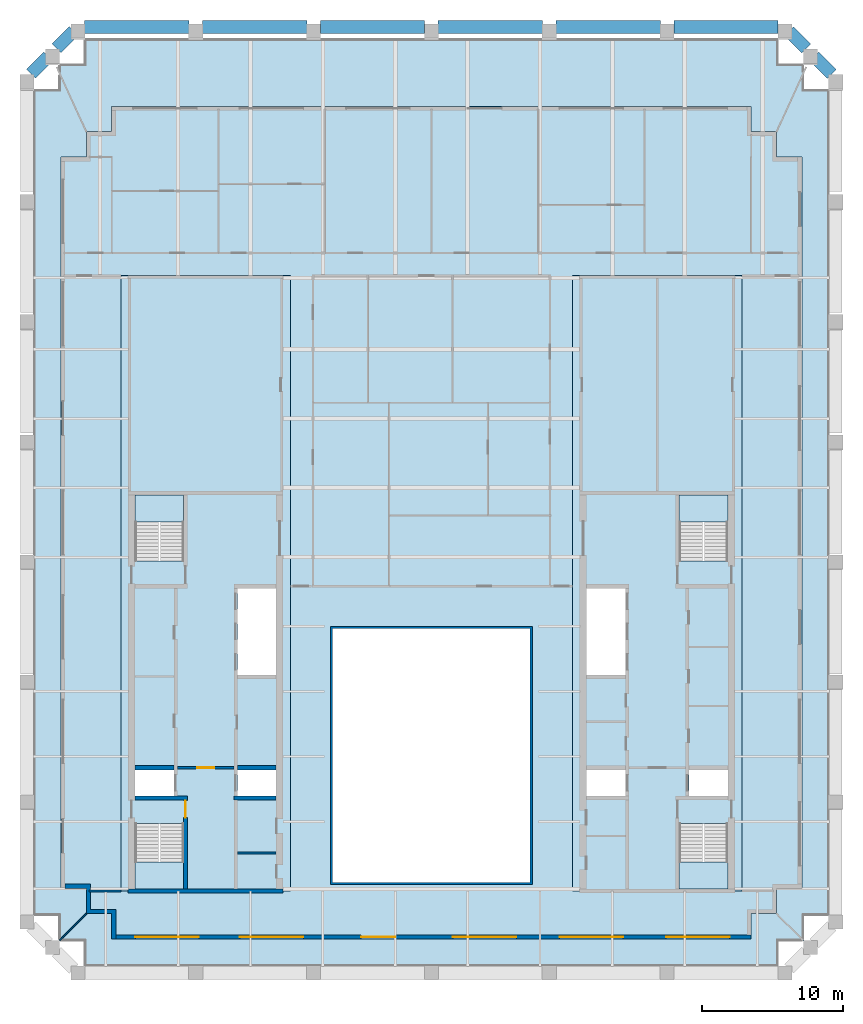
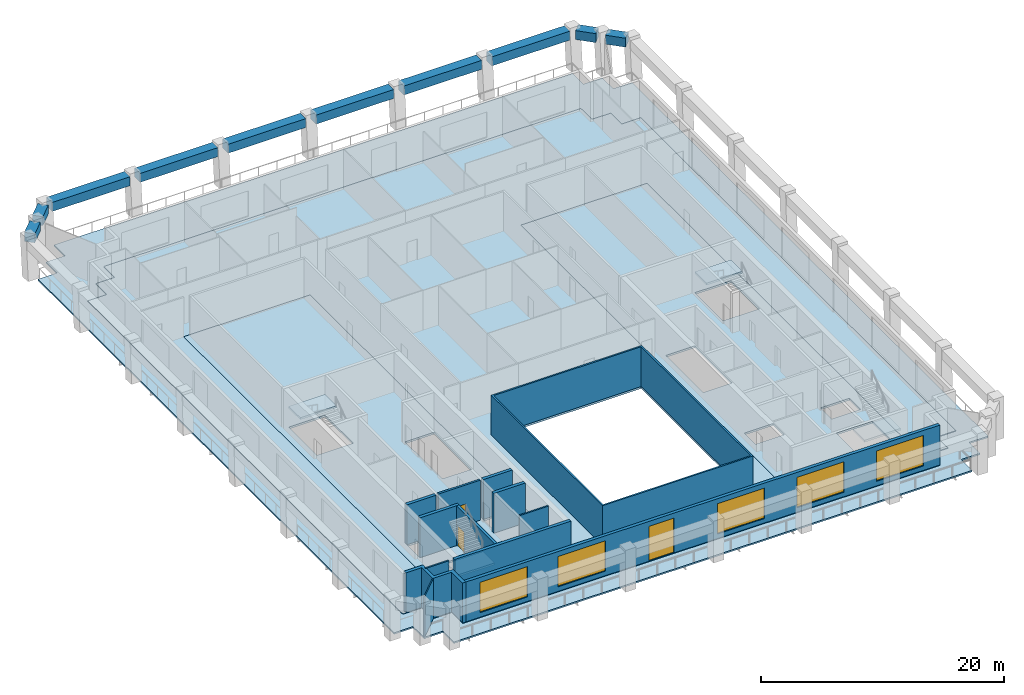
# One storey, part 2 of 8: 13 walls, 10 beams, 8 slabs, 5 windows, 3 doors, 8 openings, 4 elements without a shape of their own.
"""IFC4 building model written with IfcOpenShell, lengths in metres."""

from ifc_helpers import new_model, si_unit, direction, frame, frame_2d, origin, origin_2d, place, context, subcontext, project, spatial, polyline, rectangle, outline, extrude, material, layer, layer_set, material_profile, profile_set, type_object, element, fill, aggregate, save


model = new_model("IFC4")

# Units and contexts
model_context = context("Model", 3, precision=1e-05, world=origin(), true_north=direction((0.0, 1.0)))
body_context = subcontext(model_context, "Body", "Model", "MODEL_VIEW")
ifc_project = project(units=[si_unit("LENGTHUNIT", "METRE"), si_unit("AREAUNIT", "SQUARE_METRE"), si_unit("VOLUMEUNIT", "CUBIC_METRE"), si_unit("PLANEANGLEUNIT", "RADIAN"), si_unit("MASSUNIT", "GRAM", prefix="KILO")], contexts=[model_context])

# Site, building, storey
site_placement = place(None, origin())
site = spatial("IfcSite", under=ifc_project, at=site_placement, CompositionType="ELEMENT")
building_placement = place(site_placement, origin())
building = spatial("IfcBuilding", under=site, at=building_placement, Name="Ogive Exchange Tower", CompositionType="ELEMENT")
storey_placement = place(building_placement, frame((0.0, 0.0, 334.199951171875)))
storey = spatial("IfcBuildingStorey", under=building, at=storey_placement, Name="L73", CompositionType="ELEMENT", Elevation=334.199951171875)

# Beams
ifc_material_1 = material(Name="Precast concrete C70/85 (limestone faced)", Category="masonry")
ifc_material_profile = material_profile(ifc_material_1, rectangle(XDim=0.89990234375, YDim=0.89990234375, at=origin_2d()), Name="900 x 900")
ifc_profile_set = profile_set([ifc_material_profile], Name="Precast concrete C70/85 (limestone faced)")
beam_type = type_object("IfcBeamType", Name="Precast spandrel 900 x 900 C70/85", PredefinedType="SPANDREL", material=ifc_profile_set)
for number, where, z_axis, x_axis, name in (
    (1, (28.362060546875, 55.305908203125, 3.5), (-0.707036271462, 0.707177283881, 0.0), (-0.707177283881, -0.707036271462, 0.0), "Spandrel 16"),
    (2, (26.56201171875, 57.10595703125, 3.5), (-0.707036271462, 0.707177283881, 0.0), (-0.707177283881, -0.707036271462, 0.0), "Spandrel 17"),
):
    element("IfcBeam", number, at=place(storey_placement, frame(where, z_axis=z_axis, x_axis=x_axis)), inside=storey, type_object=beam_type, Name=name, PredefinedType="SPANDREL", context=body_context, shape_type="SweptSolid", body=[
        extrude(rectangle(XDim=0.89990234375, YDim=0.89990234375, at=origin_2d()), origin(), (0.0, 0.0, 1.0), 1.7314453125),
    ])
beam_1_placement = place(storey_placement, frame((24.570068359375, 58.6181640625, 3.5), z_axis=(-1.0, 0.0, 0.0), x_axis=(0.0, -1.0, 0.0)))
element("IfcBeam", 3, at=beam_1_placement, inside=storey, type_object=beam_type, Name="Spandrel 18", PredefinedType="SPANDREL", context=body_context, shape_type="SweptSolid", body=[
    extrude(rectangle(XDim=0.89990234375, YDim=0.89990234375, at=origin_2d()), origin(), (0.0, 0.0, 1.0), 7.39013671875),
])
beam_2_placement = place(storey_placement, frame((16.219970703125, 58.6181640625, 3.5), z_axis=(-1.0, 0.0, 0.0), x_axis=(0.0, -1.0, 0.0)))
element("IfcBeam", 4, at=beam_2_placement, inside=storey, type_object=beam_type, Name="Spandrel 19", PredefinedType="SPANDREL", context=body_context, shape_type="SweptSolid", body=[
    extrude(rectangle(XDim=0.89990234375, YDim=0.89990234375, at=origin_2d()), origin(), (0.0, 0.0, 1.0), 7.389892578125),
])
for number, where, z_axis, x_axis, name in (
    (5, (7.8701171875, 58.6181640625, 3.5), (-1.0, 0.0, 0.0), (0.0, -1.0, 0.0), "Spandrel 20"),
    (6, (-0.47998046875, 58.6181640625, 3.5), (-1.0, 0.0, 0.0), (0.0, -1.0, 0.0), "Spandrel 21"),
):
    element("IfcBeam", number, at=place(storey_placement, frame(where, z_axis=z_axis, x_axis=x_axis)), inside=storey, type_object=beam_type, Name=name, PredefinedType="SPANDREL", context=body_context, shape_type="SweptSolid", body=[
        extrude(rectangle(XDim=0.89990234375, YDim=0.89990234375, at=origin_2d()), origin(), (0.0, 0.0, 1.0), 7.39013671875),
    ])
beam_3_placement = place(storey_placement, frame((-8.830078125, 58.6181640625, 3.5), z_axis=(-1.0, 0.0, 0.0), x_axis=(0.0, -1.0, 0.0)))
element("IfcBeam", 7, at=beam_3_placement, inside=storey, type_object=beam_type, Name="Spandrel 22", PredefinedType="SPANDREL", context=body_context, shape_type="SweptSolid", body=[
    extrude(rectangle(XDim=0.89990234375, YDim=0.89990234375, at=origin_2d()), origin(), (0.0, 0.0, 1.0), 7.389892578125),
])
beam_4_placement = place(storey_placement, frame((-17.179931640625, 58.6181640625, 3.5), z_axis=(-1.0, 0.0, 0.0), x_axis=(0.0, -1.0, 0.0)))
element("IfcBeam", 8, at=beam_4_placement, inside=storey, type_object=beam_type, Name="Spandrel 23", PredefinedType="SPANDREL", context=body_context, shape_type="SweptSolid", body=[
    extrude(rectangle(XDim=0.89990234375, YDim=0.89990234375, at=origin_2d()), origin(), (0.0, 0.0, 1.0), 7.39013671875),
])
for number, where, z_axis, x_axis, name in (
    (9, (-25.337890625, 58.330322265625, 3.5), (-0.707036271462, -0.707177283881, 0.0), (0.707177283881, -0.707036271462, 0.0), "Spandrel 24"),
    (10, (-27.137939453125, 56.5302734375, 3.5), (-0.707036271462, -0.707177283881, 0.0), (0.707177283881, -0.707036271462, 0.0), "Spandrel 25"),
):
    element("IfcBeam", number, at=place(storey_placement, frame(where, z_axis=z_axis, x_axis=x_axis)), inside=storey, type_object=beam_type, Name=name, PredefinedType="SPANDREL", context=body_context, shape_type="SweptSolid", body=[
        extrude(rectangle(XDim=0.89990234375, YDim=0.89990234375, at=origin_2d()), origin(), (0.0, 0.0, 1.0), 1.7314453125),
    ])

# Slabs
ifc_material_2 = material(Name="Concrete C50/60", Category="concrete")
ifc_layer_1 = layer(ifc_material_2, 0.199951171875)
ifc_layer_set_1 = layer_set([ifc_layer_1], Name="Composite floor slab 200")
slab_type_1 = type_object("IfcSlabType", Name="Composite floor slab 200", PredefinedType="FLOOR", material=ifc_layer_set_1)
slab_1_placement = place(storey_placement, frame((0.0, 0.0, -0.199951171875)))
element("IfcSlab", 11, at=slab_1_placement, inside=storey, type_object=slab_type_1, Name="Composite floor slab", PredefinedType="FLOOR", context=body_context, shape_type="SweptSolid", body=[
    extrude(outline(polyline([(-22.64990234375, -4.199951171875), (-24.449951171875, -4.199951171875), (-24.449951171875, -2.39990234375), (-26.25, -2.39990234375), (-26.25, 49.39990234375), (-24.449951171875, 49.39990234375), (-24.449951171875, 51.199951171875), (-22.64990234375, 51.199951171875), (-22.64990234375, 53.0), (22.64990234375, 53.0), (22.64990234375, 51.199951171875), (24.449951171875, 51.199951171875), (24.449951171875, 49.39990234375), (26.25, 49.39990234375), (26.25, -2.39990234375), (24.449951171875, -2.39990234375), (24.449951171875, -4.199951171875), (22.64990234375, -4.199951171875), (22.64990234375, -6.0), (-22.64990234375, -6.0), (-22.64990234375, -4.199951171875)]), holes=[polyline([(7.0, -2.0), (7.0, 16.0), (-7.0, 16.0), (-7.0, -2.0), (7.0, -2.0)]), polyline([(-22.0, -2.60009765625), (-10.0, -2.60009765625), (-10.0, 41.0), (-22.0, 41.0), (-22.0, -2.60009765625)]), polyline([(10.0, -2.60009765625), (22.0, -2.60009765625), (22.0, 41.0), (10.0, 41.0), (10.0, -2.60009765625)])]), origin(), (0.0, 0.0, 1.0), 0.199951171875),
])
ifc_material_3 = material(Name="Concrete C70/85", Category="concrete")
ifc_layer_2 = layer(ifc_material_3, 0.199951171875)
ifc_layer_set_2 = layer_set([ifc_layer_2], Name="Core floor slab 200")
slab_type_2 = type_object("IfcSlabType", Name="Core floor slab 200", PredefinedType="FLOOR", material=ifc_layer_set_2)
slab_2_placement = place(storey_placement, frame((0.0, 0.0, -0.199951171875)))
element("IfcSlab", 12, at=slab_2_placement, inside=storey, type_object=slab_type_2, Name="Core floor slab", PredefinedType="FLOOR", context=body_context, shape_type="SweptSolid", body=[
    extrude(outline(polyline([(-22.0, -2.60009765625), (-22.0, 41.0), (-10.0, 41.0), (-10.0, -2.60009765625), (-22.0, -2.60009765625)]), holes=[polyline([(-17.550048828125, 2.196044921875), (-21.0, 2.196044921875), (-21.0, -2.449951171875), (-17.550048828125, -2.449951171875), (-17.550048828125, 2.196044921875)]), polyline([(-21.0, 5.992919921875), (-21.0, 4.14990234375), (-18.25, 4.14990234375), (-18.25, 5.992919921875), (-21.0, 5.992919921875)]), polyline([(-13.75, 5.992919921875), (-13.75, 4.14990234375), (-11.0, 4.14990234375), (-11.0, 5.992919921875), (-13.75, 5.992919921875)]), polyline([(-11.0, 18.85009765625), (-13.75, 18.85009765625), (-13.75, 12.721435546875), (-11.0, 12.721435546875), (-11.0, 18.85009765625)]), polyline([(-21.0, 25.449951171875), (-21.0, 20.803955078125), (-17.550048828125, 20.803955078125), (-17.550048828125, 25.449951171875), (-21.0, 25.449951171875)])]), origin(), (0.0, 0.0, 1.0), 0.199951171875),
])
slab_3_placement = place(storey_placement, frame((0.0, 0.0, -0.199951171875)))
element("IfcSlab", 13, at=slab_3_placement, inside=storey, type_object=slab_type_2, Name="Core floor slab", PredefinedType="FLOOR", context=body_context, shape_type="SweptSolid", body=[
    extrude(outline(polyline([(10.0, -2.60009765625), (10.0, 41.0), (22.0, 41.0), (22.0, -2.60009765625), (10.0, -2.60009765625)]), holes=[polyline([(21.0, 2.196044921875), (17.550048828125, 2.196044921875), (17.550048828125, -2.449951171875), (21.0, -2.449951171875), (21.0, 2.196044921875)]), polyline([(11.0, 5.992919921875), (11.0, 4.14990234375), (13.75, 4.14990234375), (13.75, 5.992919921875), (11.0, 5.992919921875)]), polyline([(18.25, 5.992919921875), (18.25, 4.14990234375), (21.0, 4.14990234375), (21.0, 5.992919921875), (18.25, 5.992919921875)]), polyline([(13.75, 18.85009765625), (11.0, 18.85009765625), (11.0, 12.721435546875), (13.75, 12.721435546875), (13.75, 18.85009765625)]), polyline([(17.550048828125, 25.449951171875), (17.550048828125, 20.803955078125), (21.0, 20.803955078125), (21.0, 25.449951171875), (17.550048828125, 25.449951171875)])]), origin(), (0.0, 0.0, 1.0), 0.199951171875),
])
ifc_layer_3 = layer(ifc_material_2, 0.14990234375)
ifc_layer_set_3 = layer_set([ifc_layer_3], Name="Loggia deck 150")
slab_type_3 = type_object("IfcSlabType", Name="Loggia deck 150", PredefinedType="FLOOR", material=ifc_layer_set_3)
slab_4_placement = place(storey_placement, frame((0.0, 0.0, -0.199951171875)))
element("IfcSlab", 14, at=slab_4_placement, inside=storey, type_object=slab_type_3, Name="Loggia deck", PredefinedType="FLOOR", context=body_context, shape_type="SweptSolid", body=[
    extrude(outline(polyline([(-24.60009765625, -6.14990234375), (-26.39990234375, -6.14990234375), (-26.39990234375, -4.35009765625), (-28.199951171875, -4.35009765625), (-28.199951171875, 54.186279296875), (-26.39990234375, 54.186279296875), (-26.39990234375, 55.986328125), (-24.60009765625, 55.986328125), (-24.60009765625, 57.786376953125), (24.60009765625, 57.786376953125), (24.60009765625, 55.986328125), (26.39990234375, 55.986328125), (26.39990234375, 54.186279296875), (28.199951171875, 54.186279296875), (28.199951171875, -4.35009765625), (26.39990234375, -4.35009765625), (26.39990234375, -6.14990234375), (24.60009765625, -6.14990234375), (24.60009765625, -7.949951171875), (-24.60009765625, -7.949951171875), (-24.60009765625, -6.14990234375)]), holes=[polyline([(22.64990234375, -4.199951171875), (24.449951171875, -4.199951171875), (24.449951171875, -2.39990234375), (26.25, -2.39990234375), (26.25, 49.39990234375), (24.449951171875, 49.39990234375), (24.449951171875, 51.199951171875), (22.64990234375, 51.199951171875), (22.64990234375, 53.0), (-22.64990234375, 53.0), (-22.64990234375, 51.199951171875), (-24.449951171875, 51.199951171875), (-24.449951171875, 49.39990234375), (-26.25, 49.39990234375), (-26.25, -2.39990234375), (-24.449951171875, -2.39990234375), (-24.449951171875, -4.199951171875), (-22.64990234375, -4.199951171875), (-22.64990234375, -6.0), (22.64990234375, -6.0), (22.64990234375, -4.199951171875)])]), origin(), (0.0, 0.0, 1.0), 0.14990234375),
])

# Stair, slab
ifc_material_4 = material(Name="Concrete C40/50", Category="concrete")
stair_type = type_object("IfcStairType", Name="Exit stair 1650 wide", PredefinedType="HALF_TURN_STAIR", material=ifc_material_4)
stair_1_placement = place(storey_placement, origin())
stair_1 = element("IfcStair", 15, at=stair_1_placement, inside=storey, type_object=stair_type, Name="L73 exit stair ST1", PredefinedType="HALF_TURN_STAIR")
ifc_layer_4 = layer(ifc_material_4, 0.199951171875)
ifc_layer_set_4 = layer_set([ifc_layer_4], Name="Stair landing 200 slab")
slab_type_4 = type_object("IfcSlabType", Name="Stair landing 200 slab", PredefinedType="LANDING", material=ifc_layer_set_4)
slab_5_placement = place(storey_placement, frame((0.0, 0.0, 1.900146484375)))
slab_5 = element("IfcSlab", 16, at=slab_5_placement, type_object=slab_type_4, Name="ST1 landing 1", PredefinedType="LANDING", context=body_context, shape_type="SweptSolid", body=[
    extrude(outline(polyline([(-21.0, -0.550048828125), (-21.0, -2.449951171875), (-17.550048828125, -2.449951171875), (-17.550048828125, -0.550048828125), (-21.0, -0.550048828125)])), origin(), (0.0, 0.0, 1.0), 0.199951171875),
])
aggregate(stair_1, [slab_5])

stair_2_placement = place(storey_placement, origin())
stair_2 = element("IfcStair", 17, at=stair_2_placement, inside=storey, type_object=stair_type, Name="L73 exit stair ST2", PredefinedType="HALF_TURN_STAIR")
slab_6_placement = place(storey_placement, frame((0.0, 0.0, 1.900146484375)))
slab_6 = element("IfcSlab", 18, at=slab_6_placement, type_object=slab_type_4, Name="ST2 landing 1", PredefinedType="LANDING", context=body_context, shape_type="SweptSolid", body=[
    extrude(outline(polyline([(-17.550048828125, 23.550048828125), (-17.550048828125, 25.449951171875), (-21.0, 25.449951171875), (-21.0, 23.550048828125), (-17.550048828125, 23.550048828125)])), origin(), (0.0, 0.0, 1.0), 0.199951171875),
])
aggregate(stair_2, [slab_6])

stair_3_placement = place(storey_placement, origin())
stair_3 = element("IfcStair", 19, at=stair_3_placement, inside=storey, type_object=stair_type, Name="L73 exit stair ST3", PredefinedType="HALF_TURN_STAIR")
slab_7_placement = place(storey_placement, frame((0.0, 0.0, 1.900146484375)))
slab_7 = element("IfcSlab", 20, at=slab_7_placement, type_object=slab_type_4, Name="ST3 landing 1", PredefinedType="LANDING", context=body_context, shape_type="SweptSolid", body=[
    extrude(outline(polyline([(17.550048828125, -0.550048828125), (17.550048828125, -2.449951171875), (21.0, -2.449951171875), (21.0, -0.550048828125), (17.550048828125, -0.550048828125)])), origin(), (0.0, 0.0, 1.0), 0.199951171875),
])
aggregate(stair_3, [slab_7])

stair_4_placement = place(storey_placement, origin())
stair_4 = element("IfcStair", 21, at=stair_4_placement, inside=storey, type_object=stair_type, Name="L73 exit stair ST4", PredefinedType="HALF_TURN_STAIR")
slab_8_placement = place(storey_placement, frame((0.0, 0.0, 1.900146484375)))
slab_8 = element("IfcSlab", 22, at=slab_8_placement, type_object=slab_type_4, Name="ST4 landing 1", PredefinedType="LANDING", context=body_context, shape_type="SweptSolid", body=[
    extrude(outline(polyline([(21.0, 23.550048828125), (21.0, 25.449951171875), (17.550048828125, 25.449951171875), (17.550048828125, 23.550048828125), (21.0, 23.550048828125)])), origin(), (0.0, 0.0, 1.0), 0.199951171875),
])
aggregate(stair_4, [slab_8])

# Walls
ifc_material_5 = material(Name="Gypsum board partition")
ifc_layer_5 = layer(ifc_material_5, 0.14990234375)
ifc_layer_set_5 = layer_set([ifc_layer_5], Name="Core room partition 150 gypsum")
wall_type_1 = type_object("IfcWallType", Name="Core room partition 150 gypsum", PredefinedType="PARTITIONING", material=ifc_layer_set_5)
wall_1_placement = place(storey_placement, frame((-13.75, 0.10009765625, 0.0), z_axis=(0.0, 0.0, 1.0), x_axis=(1.0, 0.0, 0.0)))
element("IfcWall", 23, at=wall_1_placement, inside=storey, type_object=wall_type_1, Name="W south room partition", PredefinedType="PARTITIONING", context=body_context, shape_type="SweptSolid", body=[
    extrude(rectangle(XDim=2.75, YDim=0.14990234375, at=frame_2d((1.375, 0.0))), origin(), (0.0, 0.0, 1.0), 4.0),
])
ifc_material_6 = material(Name="Fire partition EI 60 150")
ifc_layer_6 = layer(ifc_material_6, 0.14990234375)
ifc_layer_set_6 = layer_set([ifc_layer_6], Name="Fire partition EI 60 150")
wall_type_2 = type_object("IfcWallType", Name="Fire partition EI 60 150", PredefinedType="PARTITIONING", material=ifc_layer_set_6)
wall_2_placement = place(storey_placement, frame((-24.25, -2.60009765625, 0.0), z_axis=(0.0, 0.0, 1.0), x_axis=(1.0, 0.0, 0.0)))
element("IfcWall", 24, at=wall_2_placement, inside=storey, type_object=wall_type_2, Name="L73-PWL-002", PredefinedType="PARTITIONING", context=body_context, shape_type="SweptSolid", body=[
    extrude(rectangle(XDim=2.25, YDim=0.14990234375, at=frame_2d((1.125, 0.0))), origin(), (0.0, 0.0, 1.0), 4.0),
])
ifc_material_7 = material(Name="Fire-resisting glass in steel frame", Category="steel")
ifc_layer_7 = layer(ifc_material_7, 0.14990234375)
ifc_layer_set_7 = layer_set([ifc_layer_7], Name="Fire-rated glazed wall 150")
wall_type_3 = type_object("IfcWallType", Name="Fire-rated glazed wall 150", PredefinedType="STANDARD", material=ifc_layer_set_7)
wall_3_placement = place(storey_placement, origin())
element("IfcWall", 25, at=wall_3_placement, inside=storey, type_object=wall_type_3, Name="Nave enclosure wall", PredefinedType="STANDARD", context=body_context, shape_type="SweptSolid", body=[
    extrude(outline(polyline([(-7.14990234375, -2.14990234375), (7.14990234375, -2.14990234375), (7.14990234375, 16.14990234375), (-7.14990234375, 16.14990234375), (-7.14990234375, -2.14990234375)]), holes=[polyline([(-7.0, -2.0), (-7.0, 16.0), (7.0, 16.0), (7.0, -2.0), (-7.0, -2.0)])]), origin(), (0.0, 0.0, 1.0), 4.0),
])

# Wall, openings, door, windows
ifc_material_8 = material(Name="Precast concrete C40/50", Category="concrete")
ifc_layer_8 = layer(ifc_material_8, 0.300048828125)
ifc_layer_set_8 = layer_set([ifc_layer_8], Name="Limestone-faced wall 300")
wall_type_4 = type_object("IfcWallType", Name="Limestone-faced wall 300", PredefinedType="STANDARD", material=ifc_layer_set_8)
wall_4_placement = place(storey_placement, frame((-22.35009765625, -5.85009765625, 0.0), z_axis=(0.0, 0.0, 1.0), x_axis=(1.0, 0.0, 0.0)))
wall_4 = element("IfcWall", 26, at=wall_4_placement, inside=storey, type_object=wall_type_4, Name="External wall S1", PredefinedType="STANDARD", context=body_context, shape_type="SweptSolid", body=[
    extrude(rectangle(XDim=45.0, YDim=0.300048828125, at=frame_2d((22.5, 0.0))), origin(), (0.0, 0.0, 1.0), 4.0),
])
opening_1_placement = place(wall_4_placement, frame((1.375, 0.0, 0.449951171875)))
opening_1 = element("IfcOpeningElement", 27, at=opening_1_placement, cuts=wall_4, Name="Opening W1", PredefinedType="OPENING", context=body_context, shape_type="SweptSolid", body=[
    extrude(rectangle(XDim=4.5, YDim=3.050048828125, at=frame_2d((2.25, 1.52490234375))), frame((0.0, 0.159912109375, 0.0), z_axis=(0.0, -1.0, 0.0), x_axis=(1.0, 0.0, 0.0)), (0.0, 0.0, 1.0), 0.320068359375),
])
opening_2_placement = place(wall_4_placement, frame((8.77490234375, 0.0, 0.449951171875)))
opening_2 = element("IfcOpeningElement", 28, at=opening_2_placement, cuts=wall_4, Name="Opening W1", PredefinedType="OPENING", context=body_context, shape_type="SweptSolid", body=[
    extrude(rectangle(XDim=4.5, YDim=3.050048828125, at=frame_2d((2.25, 1.52490234375))), frame((0.0, 0.159912109375, 0.0), z_axis=(0.0, -1.0, 0.0), x_axis=(1.0, 0.0, 0.0)), (0.0, 0.0, 1.0), 0.320068359375),
])
opening_3_placement = place(wall_4_placement, frame((17.375, 0.0, 0.0)))
opening_3 = element("IfcOpeningElement", 29, at=opening_3_placement, cuts=wall_4, Name="Opening D1", PredefinedType="OPENING", context=body_context, shape_type="SweptSolid", body=[
    extrude(rectangle(XDim=2.39990234375, YDim=3.5, at=frame_2d((1.199951171875, 1.75))), frame((0.0, 0.159912109375, 0.0), z_axis=(0.0, -1.0, 0.0), x_axis=(1.0, 0.0, 0.0)), (0.0, 0.0, 1.0), 0.320068359375),
])
opening_4_placement = place(wall_4_placement, frame((23.875, 0.0, 0.449951171875)))
opening_4 = element("IfcOpeningElement", 30, at=opening_4_placement, cuts=wall_4, Name="Opening W1", PredefinedType="OPENING", context=body_context, shape_type="SweptSolid", body=[
    extrude(rectangle(XDim=4.5, YDim=3.050048828125, at=frame_2d((2.25, 1.52490234375))), frame((0.0, 0.159912109375, 0.0), z_axis=(0.0, -1.0, 0.0), x_axis=(1.0, 0.0, 0.0)), (0.0, 0.0, 1.0), 0.320068359375),
])
opening_5_placement = place(wall_4_placement, frame((31.425048828125, 0.0, 0.449951171875)))
opening_5 = element("IfcOpeningElement", 31, at=opening_5_placement, cuts=wall_4, Name="Opening W1", PredefinedType="OPENING", context=body_context, shape_type="SweptSolid", body=[
    extrude(rectangle(XDim=4.5, YDim=3.050048828125, at=frame_2d((2.25, 1.52490234375))), frame((0.0, 0.159912109375, 0.0), z_axis=(0.0, -1.0, 0.0), x_axis=(1.0, 0.0, 0.0)), (0.0, 0.0, 1.0), 0.320068359375),
])
opening_6_placement = place(wall_4_placement, frame((38.97509765625, 0.0, 0.449951171875)))
opening_6 = element("IfcOpeningElement", 32, at=opening_6_placement, cuts=wall_4, Name="Opening W1", PredefinedType="OPENING", context=body_context, shape_type="SweptSolid", body=[
    extrude(rectangle(XDim=4.5, YDim=3.050048828125, at=frame_2d((2.25, 1.52490234375))), frame((0.0, 0.159912109375, 0.0), z_axis=(0.0, -1.0, 0.0), x_axis=(1.0, 0.0, 0.0)), (0.0, 0.0, 1.0), 0.320068359375),
])
ifc_material_9 = material(Name="Clear glass in bronze frame", Category="glass")
door_type_1 = type_object("IfcDoorType", Name="Sliding loggia door 2400 x 3500", OperationType="DOUBLE_DOOR_SLIDING", PredefinedType="DOOR", material=ifc_material_9)
door_1_placement = place(opening_3_placement, origin())
door_1 = element("IfcDoor", 33, at=door_1_placement, inside=storey, type_object=door_type_1, Name="Loggia door S02", OperationType="DOUBLE_DOOR_SLIDING", OverallHeight=3.5, OverallWidth=2.39990234375, PredefinedType="DOOR", context=body_context, shape_type="SweptSolid", body=[
    extrude(rectangle(XDim=2.39990234375, YDim=3.5, at=frame_2d((1.199951171875, 1.75))), frame((0.0, 0.02490234375, 0.0), z_axis=(0.0, -1.0, 0.0), x_axis=(1.0, 0.0, 0.0)), (0.0, 0.0, 1.0), 0.050048828125),
])
fill(opening_3, door_1)
window_type = type_object("IfcWindowType", Name="Twin lancet window 4500 x 3050", PartitioningType="DOUBLE_PANEL_VERTICAL", PredefinedType="WINDOW", material=ifc_material_9)
window_1_placement = place(opening_1_placement, origin())
window_1 = element("IfcWindow", 34, at=window_1_placement, inside=storey, type_object=window_type, Name="Window S00", OverallHeight=3.050048828125, OverallWidth=4.5, PartitioningType="DOUBLE_PANEL_VERTICAL", PredefinedType="WINDOW", context=body_context, shape_type="SweptSolid", body=[
    extrude(rectangle(XDim=4.5, YDim=3.050048828125, at=frame_2d((2.25, 1.52490234375))), frame((0.0, 0.030029296875, 0.0), z_axis=(0.0, -1.0, 0.0), x_axis=(1.0, 0.0, 0.0)), (0.0, 0.0, 1.0), 0.06005859375),
])
fill(opening_1, window_1)
window_2_placement = place(opening_2_placement, origin())
window_2 = element("IfcWindow", 35, at=window_2_placement, inside=storey, type_object=window_type, Name="Window S01", OverallHeight=3.050048828125, OverallWidth=4.5, PartitioningType="DOUBLE_PANEL_VERTICAL", PredefinedType="WINDOW", context=body_context, shape_type="SweptSolid", body=[
    extrude(rectangle(XDim=4.5, YDim=3.050048828125, at=frame_2d((2.25, 1.52490234375))), frame((0.0, 0.030029296875, 0.0), z_axis=(0.0, -1.0, 0.0), x_axis=(1.0, 0.0, 0.0)), (0.0, 0.0, 1.0), 0.06005859375),
])
fill(opening_2, window_2)
window_3_placement = place(opening_4_placement, origin())
window_3 = element("IfcWindow", 36, at=window_3_placement, inside=storey, type_object=window_type, Name="Window S03", OverallHeight=3.050048828125, OverallWidth=4.5, PartitioningType="DOUBLE_PANEL_VERTICAL", PredefinedType="WINDOW", context=body_context, shape_type="SweptSolid", body=[
    extrude(rectangle(XDim=4.5, YDim=3.050048828125, at=frame_2d((2.25, 1.52490234375))), frame((0.0, 0.030029296875, 0.0), z_axis=(0.0, -1.0, 0.0), x_axis=(1.0, 0.0, 0.0)), (0.0, 0.0, 1.0), 0.06005859375),
])
fill(opening_4, window_3)
window_4_placement = place(opening_5_placement, origin())
window_4 = element("IfcWindow", 37, at=window_4_placement, inside=storey, type_object=window_type, Name="Window S04", OverallHeight=3.050048828125, OverallWidth=4.5, PartitioningType="DOUBLE_PANEL_VERTICAL", PredefinedType="WINDOW", context=body_context, shape_type="SweptSolid", body=[
    extrude(rectangle(XDim=4.5, YDim=3.050048828125, at=frame_2d((2.25, 1.52490234375))), frame((0.0, 0.030029296875, 0.0), z_axis=(0.0, -1.0, 0.0), x_axis=(1.0, 0.0, 0.0)), (0.0, 0.0, 1.0), 0.06005859375),
])
fill(opening_5, window_4)
window_5_placement = place(opening_6_placement, origin())
window_5 = element("IfcWindow", 38, at=window_5_placement, inside=storey, type_object=window_type, Name="Window S05", OverallHeight=3.050048828125, OverallWidth=4.5, PartitioningType="DOUBLE_PANEL_VERTICAL", PredefinedType="WINDOW", context=body_context, shape_type="SweptSolid", body=[
    extrude(rectangle(XDim=4.5, YDim=3.050048828125, at=frame_2d((2.25, 1.52490234375))), frame((0.0, 0.030029296875, 0.0), z_axis=(0.0, -1.0, 0.0), x_axis=(1.0, 0.0, 0.0)), (0.0, 0.0, 1.0), 0.06005859375),
])
fill(opening_6, window_5)

# Walls
wall_5_placement = place(storey_placement, origin())
element("IfcWall", 39, at=wall_5_placement, inside=storey, type_object=wall_type_4, Name="External corner wall C4", PredefinedType="STANDARD", context=body_context, shape_type="SweptSolid", body=[
    extrude(outline(polyline([(-22.64990234375, -4.199951171875), (-24.449951171875, -4.199951171875), (-24.449951171875, -2.39990234375), (-25.949951171875, -2.39990234375), (-25.949951171875, -2.10009765625), (-24.14990234375, -2.10009765625), (-24.14990234375, -3.89990234375), (-22.35009765625, -3.89990234375), (-22.35009765625, -6.0), (-22.64990234375, -6.0), (-22.64990234375, -4.199951171875)])), origin(), (0.0, 0.0, 1.0), 4.0),
])
ifc_material_10 = material(Name="Laminated safety glass in steel frame", Category="steel")
ifc_layer_9 = layer(ifc_material_10, 0.10009765625)
ifc_layer_set_9 = layer_set([ifc_layer_9], Name="Loggia end screen 100")
wall_type_5 = type_object("IfcWallType", Name="Loggia end screen 100", PredefinedType="STANDARD", material=ifc_layer_set_9)
wall_6_placement = place(storey_placement, frame((-24.449951171875, -4.199951171875, -0.050048828125), z_axis=(0.0, 0.0, 1.0), x_axis=(-0.707106781187, -0.707106781187, 0.0)))
element("IfcWall", 40, at=wall_6_placement, inside=storey, type_object=wall_type_5, Name="Loggia end screen C4", PredefinedType="STANDARD", context=body_context, shape_type="SweptSolid", body=[
    extrude(rectangle(XDim=2.667236328125, YDim=0.10009765625, at=frame_2d((1.33349609375, 0.0))), origin(), (0.0, 0.0, 1.0), 4.050048828125),
])

# Wall, opening, door
ifc_layer_10 = layer(ifc_material_3, 0.199951171875)
ifc_layer_set_10 = layer_set([ifc_layer_10], Name="RC core wall 200 C70/85")
wall_type_6 = type_object("IfcWallType", Name="RC core wall 200 C70/85", PredefinedType="SHEAR", material=ifc_layer_set_10)
wall_7_placement = place(storey_placement, frame((-18.0, 6.142822265625, 0.0), z_axis=(0.0, 0.0, 1.0), x_axis=(1.0, 0.0, 0.0)))
wall_7 = element("IfcWall", 41, at=wall_7_placement, inside=storey, type_object=wall_type_6, Name="W firefighting lobby wall", PredefinedType="SHEAR", context=body_context, shape_type="SweptSolid", body=[
    extrude(rectangle(XDim=4.0, YDim=0.199951171875, at=frame_2d((2.0, 0.0))), origin(), (0.0, 0.0, 1.0), 4.0),
])
opening_7_placement = place(wall_7_placement, frame((1.39990234375, 0.0, 0.0)))
opening_7 = element("IfcOpeningElement", 42, at=opening_7_placement, cuts=wall_7, Name="Opening L73-C09", PredefinedType="OPENING", context=body_context, shape_type="SweptSolid", body=[
    extrude(rectangle(XDim=1.199951171875, YDim=2.10009765625, at=frame_2d((0.60009765625, 1.050048828125))), frame((0.0, 0.10986328125, 0.0), z_axis=(0.0, -1.0, 0.0), x_axis=(1.0, 0.0, 0.0)), (0.0, 0.0, 1.0), 0.219970703125),
])
ifc_material_11 = material(Name="Steel fire door", Category="steel")
door_type_2 = type_object("IfcDoorType", Name="Firefighting lobby door FD60 1200 x 2100", OperationType="NOTDEFINED", PredefinedType="DOOR", material=ifc_material_11)
door_2_placement = place(opening_7_placement, frame((1.199951171875, 0.0, 0.0), z_axis=(0.0, 0.0, 1.0), x_axis=(-1.0, 0.0, 0.0)))
door_2 = element("IfcDoor", 43, at=door_2_placement, inside=storey, type_object=door_type_2, Name="Firefighting lobby door", ObjectType="CD3", OperationType="SINGLE_SWING_RIGHT", OverallHeight=2.10009765625, OverallWidth=1.199951171875, PredefinedType="DOOR", context=body_context, shape_type="SweptSolid", body=[
    extrude(rectangle(XDim=1.199951171875, YDim=2.10009765625, at=frame_2d((0.60009765625, 1.050048828125))), frame((0.0, 0.02490234375, 0.0), z_axis=(0.0, -1.0, 0.0), x_axis=(1.0, 0.0, 0.0)), (0.0, 0.0, 1.0), 0.050048828125),
])
fill(opening_7, door_2)

ifc_layer_11 = layer(ifc_material_3, 0.25)
ifc_layer_set_11 = layer_set([ifc_layer_11], Name="RC core wall 250 C70/85")
wall_type_7 = type_object("IfcWallType", Name="RC core wall 250 C70/85", PredefinedType="SHEAR", material=ifc_layer_set_11)
wall_8_placement = place(storey_placement, frame((-17.425048828125, -2.449951171875, 0.0), z_axis=(0.0, 0.0, 1.0), x_axis=(0.0, 1.0, 0.0)))
wall_8 = element("IfcWall", 44, at=wall_8_placement, inside=storey, type_object=wall_type_7, Name="W stair S front wall", PredefinedType="SHEAR", context=body_context, shape_type="SweptSolid", body=[
    extrude(rectangle(XDim=6.300048828125, YDim=0.25, at=frame_2d((3.14990234375, 0.0))), origin(), (0.0, 0.0, 1.0), 4.0),
])
opening_8_placement = place(wall_8_placement, frame((5.050048828125, 0.0, 0.0)))
opening_8 = element("IfcOpeningElement", 45, at=opening_8_placement, cuts=wall_8, Name="Opening L73-C11", PredefinedType="OPENING", context=body_context, shape_type="SweptSolid", body=[
    extrude(rectangle(XDim=1.199951171875, YDim=2.10009765625, at=frame_2d((0.60009765625, 1.050048828125))), frame((0.0, 0.135009765625, 0.0), z_axis=(0.0, -1.0, 0.0), x_axis=(1.0, 0.0, 0.0)), (0.0, 0.0, 1.0), 0.27001953125),
])
door_type_3 = type_object("IfcDoorType", Name="Stair door FD90 1200 x 2100", OperationType="NOTDEFINED", PredefinedType="DOOR", material=ifc_material_11)
door_3_placement = place(opening_8_placement, origin())
door_3 = element("IfcDoor", 46, at=door_3_placement, inside=storey, type_object=door_type_3, Name="Stair door", ObjectType="CD5", OperationType="SINGLE_SWING_LEFT", OverallHeight=2.10009765625, OverallWidth=1.199951171875, PredefinedType="DOOR", context=body_context, shape_type="SweptSolid", body=[
    extrude(rectangle(XDim=1.199951171875, YDim=2.10009765625, at=frame_2d((0.60009765625, 1.050048828125))), frame((0.0, 0.02490234375, 0.0), z_axis=(0.0, -1.0, 0.0), x_axis=(1.0, 0.0, 0.0)), (0.0, 0.0, 1.0), 0.050048828125),
])
fill(opening_8, door_3)

# Walls
ifc_layer_12 = layer(ifc_material_3, 0.300048828125)
ifc_layer_set_12 = layer_set([ifc_layer_12], Name="RC core wall 300 C70/85")
wall_type_8 = type_object("IfcWallType", Name="RC core wall 300 C70/85", PredefinedType="SHEAR", material=ifc_layer_set_12)
wall_9_placement = place(storey_placement, frame((-21.5, -2.60009765625, 0.0), z_axis=(0.0, 0.0, 1.0), x_axis=(1.0, 0.0, 0.0)))
element("IfcWall", 47, at=wall_9_placement, inside=storey, type_object=wall_type_8, Name="W south end wall", PredefinedType="SHEAR", context=body_context, shape_type="SweptSolid", body=[
    extrude(rectangle(XDim=11.0, YDim=0.300048828125, at=frame_2d((5.5, 0.0))), origin(), (0.0, 0.0, 1.0), 4.0),
])
wall_10_placement = place(storey_placement, frame((-21.0, 4.0, 0.0), z_axis=(0.0, 0.0, 1.0), x_axis=(1.0, 0.0, 0.0)))
element("IfcWall", 48, at=wall_10_placement, inside=storey, type_object=wall_type_8, Name="W stair S north wall", PredefinedType="SHEAR", context=body_context, shape_type="SweptSolid", body=[
    extrude(rectangle(XDim=3.699951171875, YDim=0.300048828125, at=frame_2d((1.85009765625, 0.0))), origin(), (0.0, 0.0, 1.0), 4.0),
])
wall_11_placement = place(storey_placement, frame((-21.0, 6.142822265625, 0.0), z_axis=(0.0, 0.0, 1.0), x_axis=(1.0, 0.0, 0.0)))
element("IfcWall", 49, at=wall_11_placement, inside=storey, type_object=wall_type_8, Name="W row A divider 1", PredefinedType="SHEAR", context=body_context, shape_type="SweptSolid", body=[
    extrude(rectangle(XDim=2.75, YDim=0.300048828125, at=frame_2d((1.375, 0.0))), origin(), (0.0, 0.0, 1.0), 4.0),
])
wall_12_placement = place(storey_placement, frame((-14.0, 4.0, 0.0), z_axis=(0.0, 0.0, 1.0), x_axis=(1.0, 0.0, 0.0)))
element("IfcWall", 50, at=wall_12_placement, inside=storey, type_object=wall_type_8, Name="W row B divider 0", PredefinedType="SHEAR", context=body_context, shape_type="SweptSolid", body=[
    extrude(rectangle(XDim=3.0, YDim=0.300048828125, at=frame_2d((1.5, 0.0))), origin(), (0.0, 0.0, 1.0), 4.0),
])
wall_13_placement = place(storey_placement, frame((-13.75, 6.142822265625, 0.0), z_axis=(0.0, 0.0, 1.0), x_axis=(1.0, 0.0, 0.0)))
element("IfcWall", 51, at=wall_13_placement, inside=storey, type_object=wall_type_8, Name="W row B divider 1", PredefinedType="SHEAR", context=body_context, shape_type="SweptSolid", body=[
    extrude(rectangle(XDim=2.75, YDim=0.300048828125, at=frame_2d((1.375, 0.0))), origin(), (0.0, 0.0, 1.0), 4.0),
])

save(model, "model.ifc")
